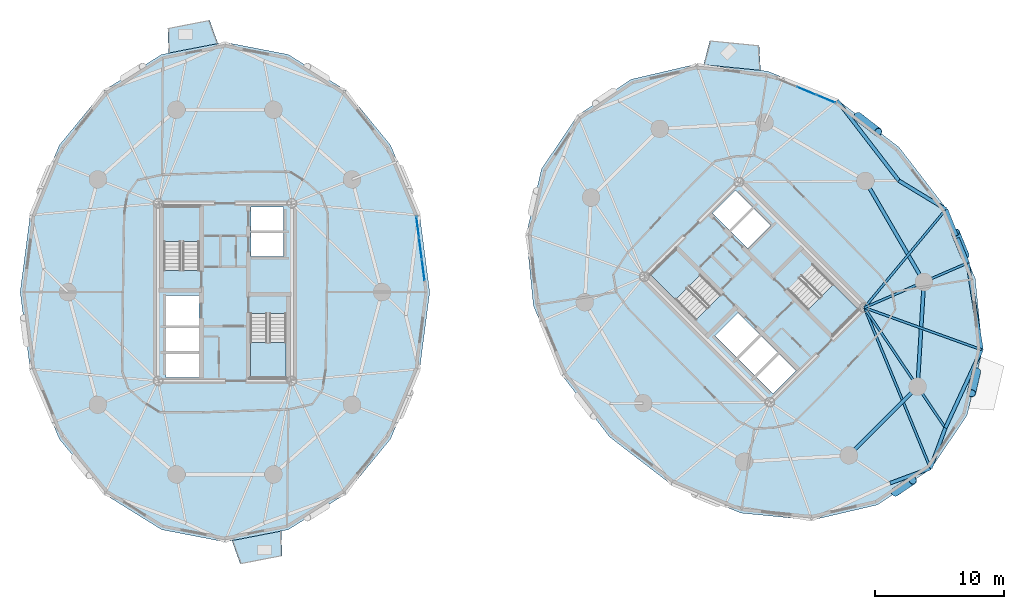
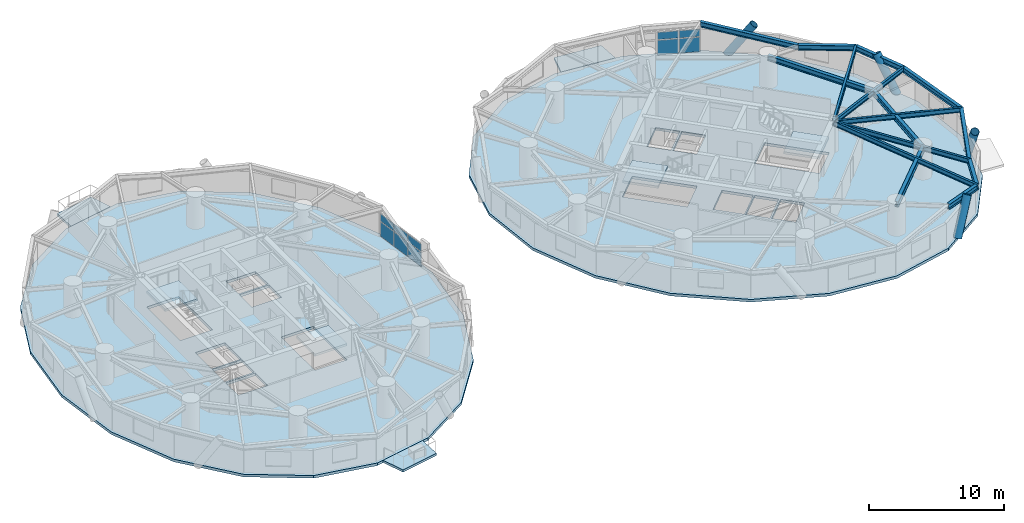
# One storey, part 7 of 17: 15 beams, 10 plates, 9 slabs, 4 members, 6 elements without a shape of their own.
"""IFC4 building model written with IfcOpenShell, lengths in metres."""

import ifcopenshell
import ifcopenshell.guid

model = None  # the IFC model being written
_history = None  # IfcOwnerHistory: only IFC2X3 demands one
_inside = {}  # id of a spatial element -> (the spatial element, [elements in it])
_under = {}  # id of a project, library or spatial element -> (it, [spatial elements below it])
_declared = {}  # id of a project -> (the project, [libraries it declares])
_typed = {}  # id of a type object -> (the type object, [elements of that type])
_made_of = {}  # id of a material, layer set ... -> (it, [elements and type objects made of it])


def new_model(schema):
    """Start an empty IFC model of exactly this schema.

    Asked for "IFC4X3", IfcOpenShell would pick the latest addendum, in which some entities
    have other attributes; the version numbers below select the first issue.
    IFC2X3 requires an IfcOwnerHistory on every rooted entity: one is made here for all.
    """
    global model, _history
    if schema == "IFC4X3":
        model = ifcopenshell.file(schema_version=(4, 3, 0, 0))
    else:
        model = ifcopenshell.file(schema=schema)
    _inside.clear()
    _under.clear()
    _declared.clear()
    _typed.clear()
    _made_of.clear()
    _history = None
    if model.schema == "IFC2X3":
        org = make("IfcOrganization", Name="unknown")
        user = make(
            "IfcPersonAndOrganization",
            ThePerson=make("IfcPerson", FamilyName="unknown"),
            TheOrganization=org,
        )
        app = make(
            "IfcApplication",
            ApplicationDeveloper=org,
            Version="unknown",
            ApplicationFullName="unknown",
            ApplicationIdentifier="unknown",
        )
        _history = make(
            "IfcOwnerHistory",
            OwningUser=user,
            OwningApplication=app,
            ChangeAction="ADDED",
            CreationDate=0,
        )
    return model


def make(cls, **values):
    """One entity of the class cls with the attributes given. An attribute that is None is left unset."""
    return model.create_entity(
        cls, **{name: value for name, value in values.items() if value is not None}
    )


def rooted(cls, **values):
    """An entity with a GlobalId (a new one), such as an element, a storey or a relation."""
    return make(cls, GlobalId=ifcopenshell.guid.new(), OwnerHistory=_history, **values)


def si_unit(unit_type, name, prefix=None):
    """IfcSIUnit, for example si_unit("LENGTHUNIT", "METRE", prefix="MILLI")."""
    return make("IfcSIUnit", UnitType=unit_type, Prefix=prefix, Name=name)


def assignment(units):
    """IfcUnitAssignment: the units of a project."""
    return None if units is None else make("IfcUnitAssignment", Units=units)


def point(xyz):
    """IfcCartesianPoint."""
    return None if xyz is None else make("IfcCartesianPoint", Coordinates=xyz)


def direction(xyz):
    """IfcDirection."""
    return None if xyz is None else make("IfcDirection", DirectionRatios=xyz)


def frame(location, z_axis=None, x_axis=None):
    """IfcAxis2Placement3D, a coordinate frame: its origin and axes. An axis left out is left unset."""
    return make(
        "IfcAxis2Placement3D",
        Location=point(location),
        Axis=direction(z_axis),
        RefDirection=direction(x_axis),
    )


def frame_2d(location, x_axis=None):
    """IfcAxis2Placement2D, a coordinate frame in the plane: its origin and x axis."""
    return make(
        "IfcAxis2Placement2D", Location=point(location), RefDirection=direction(x_axis)
    )


def origin():
    """The frame at (0, 0, 0) with its axes left unset."""
    return frame((0.0, 0.0, 0.0))


def origin_2d():
    """The frame at (0, 0) in the plane with its x axis left unset."""
    return frame_2d((0.0, 0.0))


def place(relative_to, where):
    """IfcLocalPlacement: puts the frame where relative to a parent placement (None: the world)."""
    return make(
        "IfcLocalPlacement", PlacementRelTo=relative_to, RelativePlacement=where
    )


def context(
    kind, dimensions, precision=None, world=None, true_north=None, identifier=None
):
    """IfcGeometricRepresentationContext, for example the 3D "Model" context."""
    return make(
        "IfcGeometricRepresentationContext",
        ContextIdentifier=identifier,
        ContextType=kind,
        CoordinateSpaceDimension=dimensions,
        Precision=precision,
        WorldCoordinateSystem=world,
        TrueNorth=true_north,
    )


def subcontext(parent, identifier, kind, view, scale=None):
    """IfcGeometricRepresentationSubContext, for example "Body" below "Model"."""
    return make(
        "IfcGeometricRepresentationSubContext",
        ContextIdentifier=identifier,
        ContextType=kind,
        ParentContext=parent,
        TargetScale=scale,
        TargetView=view,
    )


def project(units=None, contexts=None):
    """IfcProject with its units and contexts."""
    return rooted(
        "IfcProject",
        Name="project",
        RepresentationContexts=contexts,
        UnitsInContext=assignment(units),
    )


def spatial(cls, under=None, at=None, **own):
    """A site, building, storey or space (cls), placed at a placement, below another one or the project."""
    s = rooted(cls, ObjectPlacement=at, **own)
    if under is not None:
        _under.setdefault(under.id(), (under, []))[1].append(s)
    return s


def polyline(points):
    """IfcPolyline through the points."""
    return make("IfcPolyline", Points=[point(p) for p in points])


def profile(cls, at=None, kind="AREA", **sizes):
    """A parametric profile (cls). Its sizes go by their IFC names, for example OverallWidth=200.0."""
    return make(cls, ProfileType=kind, Position=at, **sizes)


def rectangle(**sizes):
    """IfcRectangleProfileDef."""
    return profile("IfcRectangleProfileDef", **sizes)


def hollow_circle(**sizes):
    """IfcCircleHollowProfileDef."""
    return profile("IfcCircleHollowProfileDef", **sizes)


def i_section(**sizes):
    """IfcIShapeProfileDef."""
    return profile("IfcIShapeProfileDef", **sizes)


def outline(outer, holes=None, kind="AREA"):
    """IfcArbitraryClosedProfileDef: a profile drawn as a closed curve; with holes, ...WithVoids."""
    if holes is None:
        return make("IfcArbitraryClosedProfileDef", ProfileType=kind, OuterCurve=outer)
    return make(
        "IfcArbitraryProfileDefWithVoids",
        ProfileType=kind,
        OuterCurve=outer,
        InnerCurves=holes,
    )


def extrude(swept, where, along, depth):
    """IfcExtrudedAreaSolid: the profile swept, set in the frame where, extruded along a direction by depth."""
    return make(
        "IfcExtrudedAreaSolid",
        SweptArea=swept,
        Position=where,
        ExtrudedDirection=direction(along),
        Depth=depth,
    )


def shape(context_of_items, identifier, shape_type, items):
    """IfcShapeRepresentation: the items that make up one representation, for example the "Body"."""
    return make(
        "IfcShapeRepresentation",
        ContextOfItems=context_of_items,
        RepresentationIdentifier=identifier,
        RepresentationType=shape_type,
        Items=items,
    )


def source(mapping_origin, context_of_items, identifier, shape_type, items):
    """IfcRepresentationMap: a shape defined once, which mapped items show again and again."""
    return make(
        "IfcRepresentationMap",
        MappingOrigin=mapping_origin,
        MappedRepresentation=shape(context_of_items, identifier, shape_type, items),
    )


def transform(
    local_origin,
    x_axis=None,
    y_axis=None,
    z_axis=None,
    scale=None,
    scale2=None,
    scale3=None,
    uniform=True,
):
    """IfcCartesianTransformationOperator3D, or its non-uniform kind. x_axis, y_axis, z_axis: its Axis1, 2, 3."""
    if uniform:
        return make(
            "IfcCartesianTransformationOperator3D",
            Axis1=direction(x_axis),
            Axis2=direction(y_axis),
            LocalOrigin=point(local_origin),
            Scale=scale,
            Axis3=direction(z_axis),
        )
    return make(
        "IfcCartesianTransformationOperator3DnonUniform",
        Axis1=direction(x_axis),
        Axis2=direction(y_axis),
        LocalOrigin=point(local_origin),
        Scale=scale,
        Axis3=direction(z_axis),
        Scale2=scale2,
        Scale3=scale3,
    )


def mapped(mapping_source, mapping_target):
    """IfcMappedItem: shows the shape of a source again, moved by a transform."""
    return make(
        "IfcMappedItem", MappingSource=mapping_source, MappingTarget=mapping_target
    )


def material(Name=None, Category=None):
    """IfcMaterial."""
    return make("IfcMaterial", Name=Name, Category=Category)


def layer(
    of_material, thickness, ventilated=None, Name=None, Category=None, Priority=None
):
    """IfcMaterialLayer: one layer of a wall or slab, of a material (None: an air gap)."""
    return make(
        "IfcMaterialLayer",
        Material=of_material,
        LayerThickness=thickness,
        IsVentilated=ventilated,
        Name=Name,
        Category=Category,
        Priority=Priority,
    )


def layer_set(layers, Name=None):
    """IfcMaterialLayerSet."""
    return make("IfcMaterialLayerSet", MaterialLayers=layers, LayerSetName=Name)


def material_profile(
    of_material, cross_section, Name=None, Category=None, Priority=None
):
    """IfcMaterialProfile: a cross section and its material."""
    return make(
        "IfcMaterialProfile",
        Name=Name,
        Material=of_material,
        Profile=cross_section,
        Priority=Priority,
        Category=Category,
    )


def profile_set(profiles, Name=None, composite=None):
    """IfcMaterialProfileSet."""
    return make(
        "IfcMaterialProfileSet",
        Name=Name,
        MaterialProfiles=profiles,
        CompositeProfile=composite,
    )


def made_of(thing, what):
    """Note that an element or type object is made of a material, layer set ...; save() writes the relation."""
    if what is not None:
        _made_of.setdefault(what.id(), (what, []))[1].append(thing)
    return thing


def type_object(cls, material=None, **own):
    """A type object (cls), such as IfcWallType, which elements share."""
    return made_of(rooted(cls, **own), material)


def element(
    cls,
    number,
    at=None,
    inside=None,
    cuts=None,
    type_object=None,
    material=None,
    context=None,
    identifier="Body",
    shape_type=None,
    held_by="IfcProductDefinitionShape",
    body=None,
    shapes=None,
    **own,
):
    """One element of the class cls, such as IfcWall. Its Tag is "e" and its number.

    at: its placement. inside: the storey or other place that contains it. cuts: it is an
    opening in that element (IfcRelVoidsElement). A single representation is given by context,
    identifier, shape_type and body (its items); several are given by shapes. held_by: the class
    of the entity that holds the representations. save() writes the other relations.
    """
    e = rooted(cls, Tag="e%d" % number, ObjectPlacement=at, **own)
    if body is not None:
        shapes = [shape(context, identifier, shape_type, body)]
    if shapes is not None:
        e.Representation = make(held_by, Representations=shapes)
    if inside is not None:
        _inside.setdefault(inside.id(), (inside, []))[1].append(e)
    if cuts is not None:
        rooted(
            "IfcRelVoidsElement", RelatingBuildingElement=cuts, RelatedOpeningElement=e
        )
    if type_object is not None:
        _typed.setdefault(type_object.id(), (type_object, []))[1].append(e)
    return made_of(e, material)


def aggregate(whole, parts):
    """IfcRelAggregates: a whole, such as a stair, and the parts it consists of."""
    return rooted("IfcRelAggregates", RelatingObject=whole, RelatedObjects=parts)


def save(model, path):
    """Write the relations noted so far, then the file.

    IfcRelAggregates (storeys below a building ...), IfcRelContainedInSpatialStructure (elements
    in a storey), IfcRelDefinesByType, IfcRelAssociatesMaterial and IfcRelDeclares: one each for
    every whole, place, type object, material and project.
    """
    for whole, parts in _under.values():
        aggregate(whole, parts)
    for where, things in _inside.values():
        rooted(
            "IfcRelContainedInSpatialStructure",
            RelatedElements=things,
            RelatingStructure=where,
        )
    for kind, things in _typed.values():
        rooted("IfcRelDefinesByType", RelatedObjects=things, RelatingType=kind)
    for what, things in _made_of.values():
        rooted("IfcRelAssociatesMaterial", RelatedObjects=things, RelatingMaterial=what)
    for by, libraries in _declared.values():
        rooted("IfcRelDeclares", RelatingContext=by, RelatedDefinitions=libraries)
    model.write(path)


model = new_model("IFC4")

# Units and contexts
model_context = context("Model", 3, precision=1e-05, world=origin(), true_north=direction((0.0, 1.0)))
body_context = subcontext(model_context, "Body", "Model", "MODEL_VIEW")
ifc_project = project(units=[si_unit("LENGTHUNIT", "METRE"), si_unit("AREAUNIT", "SQUARE_METRE"), si_unit("VOLUMEUNIT", "CUBIC_METRE"), si_unit("PLANEANGLEUNIT", "RADIAN"), si_unit("MASSUNIT", "GRAM", prefix="KILO")], contexts=[model_context])

# Site, building, storey
site_placement = place(None, origin())
site = spatial("IfcSite", under=ifc_project, at=site_placement, CompositionType="ELEMENT")
building_placement = place(site_placement, origin())
building = spatial("IfcBuilding", under=site, at=building_placement, Name="Cununo Teusaquillo Station Towers", CompositionType="ELEMENT")
storey_placement = place(building_placement, frame((0.0, 0.0, 70.14990234375)))
storey = spatial("IfcBuildingStorey", under=building, at=storey_placement, Name="L21", CompositionType="ELEMENT", Elevation=70.14990234375)

# Beams
ifc_material_1 = material(Name="Steel ASTM A572 Grade 50", Category="steel")
ifc_material_profile_1 = material_profile(ifc_material_1, i_section(OverallWidth=0.180908203125, OverallDepth=0.4169921875, WebThickness=0.010986328125, FlangeThickness=0.018310546875, FilletRadius=0.012939453125, at=origin_2d()), Name="W16X57")
ifc_profile_set_1 = profile_set([ifc_material_profile_1], Name="Steel ASTM A572 Grade 50")
beam_type_1 = type_object("IfcBeamType", Name="BM-JOIST-1", PredefinedType="JOIST", material=ifc_profile_set_1)
beam_1_placement = place(storey_placement, frame((66.024169921875, 23.29443359375, 2.461669921875), z_axis=(0.380485864505, -0.924786735908, 0.0), x_axis=(0.924786735908, 0.380485864505, 0.0)))
element("IfcBeam", 1, at=beam_1_placement, inside=storey, type_object=beam_type_1, Name="L21 Tower B Radial Spandrel Joist V15", PredefinedType="JOIST", context=body_context, shape_type="SweptSolid", body=[
    extrude(i_section(OverallWidth=0.180908203125, OverallDepth=0.4169921875, WebThickness=0.010986328125, FlangeThickness=0.018310546875, FilletRadius=0.012939453125, at=origin_2d()), origin(), (0.0, 0.0, 1.0), 13.44580078125),
])
beam_2_placement = place(storey_placement, frame((66.024169921875, 23.29443359375, 2.461669921875), z_axis=(0.941082771055, -0.338176312038, 0.0), x_axis=(0.338176312038, 0.941082771055, 0.0)))
element("IfcBeam", 2, at=beam_2_placement, inside=storey, type_object=beam_type_1, Name="L21 Tower B Radial Spandrel Joist V17", PredefinedType="JOIST", context=body_context, shape_type="SweptSolid", body=[
    extrude(i_section(OverallWidth=0.180908203125, OverallDepth=0.4169921875, WebThickness=0.010986328125, FlangeThickness=0.018310546875, FilletRadius=0.012939453125, at=origin_2d()), origin(), (0.0, 0.0, 1.0), 9.646484375),
])
beam_3_placement = place(storey_placement, frame((66.024169921875, 23.29443359375, 2.461669921875), z_axis=(0.638372238196, 0.769727799615, 0.0), x_axis=(-0.769727799615, 0.638372238196, 0.0)))
element("IfcBeam", 3, at=beam_3_placement, inside=storey, type_object=beam_type_1, Name="L21 Tower B Radial Spandrel Joist V19", PredefinedType="JOIST", context=body_context, shape_type="SweptSolid", body=[
    extrude(i_section(OverallWidth=0.180908203125, OverallDepth=0.4169921875, WebThickness=0.010986328125, FlangeThickness=0.018310546875, FilletRadius=0.012939453125, at=origin_2d()), origin(), (0.0, 0.0, 1.0), 9.895263671875),
])
ifc_material_2 = material(Name="Steel ASTM A572 Grade 50", Category="steel")
ifc_material_profile_2 = material_profile(ifc_material_2, i_section(OverallWidth=0.180908203125, OverallDepth=0.4169921875, WebThickness=0.010986328125, FlangeThickness=0.018310546875, FilletRadius=0.012939453125, at=origin_2d()), Name="W16X57")
ifc_profile_set_2 = profile_set([ifc_material_profile_2], Name="Steel ASTM A572 Grade 50")
beam_type_2 = type_object("IfcBeamType", Name="BM-RAD-G2", PredefinedType="BEAM", material=ifc_profile_set_2)
beam_4_placement = place(storey_placement, frame((66.024169921875, 23.29443359375, 2.461669921875), z_axis=(0.558572297481, -0.82945583878, 0.0), x_axis=(0.82945583878, 0.558572297481, 0.0)))
element("IfcBeam", 4, at=beam_4_placement, inside=storey, type_object=beam_type_2, Name="L21 Tower B Continuous Overhanging Radial Girder 09", PredefinedType="BEAM", context=body_context, shape_type="SweptSolid", body=[
    extrude(i_section(OverallWidth=0.180908203125, OverallDepth=0.4169921875, WebThickness=0.010986328125, FlangeThickness=0.018310546875, FilletRadius=0.012939453125, at=origin_2d()), origin(), (0.0, 0.0, 1.0), 11.22998046875),
])
beam_5_placement = place(storey_placement, frame((66.024169921875, 23.29443359375, 2.461669921875), z_axis=(0.917654733344, 0.397378648609, 0.0), x_axis=(-0.397378648609, 0.917654733344, 0.0)))
element("IfcBeam", 5, at=beam_5_placement, inside=storey, type_object=beam_type_2, Name="L21 Tower B Continuous Overhanging Radial Girder 10", PredefinedType="BEAM", context=body_context, shape_type="SweptSolid", body=[
    extrude(i_section(OverallWidth=0.180908203125, OverallDepth=0.4169921875, WebThickness=0.010986328125, FlangeThickness=0.018310546875, FilletRadius=0.012939453125, at=origin_2d()), origin(), (0.0, 0.0, 1.0), 8.71484375),
])
ifc_material_3 = material(Name="Steel ASTM A572 Grade 50", Category="steel")
ifc_material_profile_3 = material_profile(ifc_material_3, i_section(OverallWidth=0.280029296875, OverallDepth=0.462890625, WebThickness=0.0107421875, FlangeThickness=0.017333984375, FilletRadius=0.013916015625, at=origin_2d()), Name="W18X76")
ifc_profile_set_3 = profile_set([ifc_material_profile_3], Name="Steel ASTM A572 Grade 50")
beam_type_3 = type_object("IfcBeamType", Name="BM-RING-Z2", PredefinedType="SPANDREL", material=ifc_profile_set_3)
beam_6_placement = place(storey_placement, frame((64.826904296875, 11.853759765625, 2.4384765625), z_axis=(0.707106781187, 0.707106781187, 0.0), x_axis=(-0.707106781187, 0.707106781187, 0.0)))
element("IfcBeam", 6, at=beam_6_placement, inside=storey, type_object=beam_type_3, Name="L21 Tower B Structural Column Ring Girder 08", PredefinedType="SPANDREL", context=body_context, shape_type="SweptSolid", body=[
    extrude(i_section(OverallWidth=0.280029296875, OverallDepth=0.462890625, WebThickness=0.0107421875, FlangeThickness=0.017333984375, FilletRadius=0.013916015625, at=origin_2d()), origin(), (0.0, 0.0, 1.0), 7.522705078125),
])
beam_7_placement = place(storey_placement, frame((70.146240234375, 17.173095703125, 2.4384765625), z_axis=(0.06012979176, 0.998190567048, 0.0), x_axis=(-0.998190567048, 0.06012979176, 0.0)))
element("IfcBeam", 7, at=beam_7_placement, inside=storey, type_object=beam_type_3, Name="L21 Tower B Structural Column Ring Girder 09", PredefinedType="SPANDREL", context=body_context, shape_type="SweptSolid", body=[
    extrude(i_section(OverallWidth=0.280029296875, OverallDepth=0.462890625, WebThickness=0.0107421875, FlangeThickness=0.017333984375, FilletRadius=0.013916015625, at=origin_2d()), origin(), (0.0, 0.0, 1.0), 8.132568359375),
])
beam_8_placement = place(storey_placement, frame((70.63525390625, 25.291015625, 2.4384765625), z_axis=(-0.501311121078, 0.865267103202, 0.0), x_axis=(-0.865267103202, -0.501311121078, 0.0)))
element("IfcBeam", 8, at=beam_8_placement, inside=storey, type_object=beam_type_3, Name="L21 Tower B Structural Column Ring Girder 10", PredefinedType="SPANDREL", context=body_context, shape_type="SweptSolid", body=[
    extrude(i_section(OverallWidth=0.280029296875, OverallDepth=0.462890625, WebThickness=0.0107421875, FlangeThickness=0.017333984375, FilletRadius=0.013916015625, at=origin_2d()), origin(), (0.0, 0.0, 1.0), 9.032958984375),
])
beam_9_placement = place(storey_placement, frame((68.694580078125, 33.12890625, 2.4384765625), z_axis=(-0.610100441726, 0.792324082056, 0.0), x_axis=(-0.792324082056, -0.610100441726, 0.0)))
element("IfcBeam", 9, at=beam_9_placement, inside=storey, type_object=beam_type_3, Name="L21 Tower B Spandrel Ring Beam 01", PredefinedType="SPANDREL", context=body_context, shape_type="SweptSolid", body=[
    extrude(i_section(OverallWidth=0.280029296875, OverallDepth=0.462890625, WebThickness=0.0107421875, FlangeThickness=0.017333984375, FilletRadius=0.013916015625, at=origin_2d()), origin(), (0.0, 0.0, 1.0), 7.84033203125),
])
for number, where, z_axis, x_axis, name in (
    (10, (68.020263671875, 9.703125, 2.4384765625), (0.937628334414, 0.347639333943, 0.0), (-0.347639333943, 0.937628334414, 0.0), "L21 Tower B Spandrel Ring Beam 15"),
    (11, (71.14013671875, 10.85986328125, 2.4384765625), (0.347639333943, 0.937628334414, 0.0), (-0.937628334414, 0.347639333943, 0.0), "L21 Tower B Spandrel Ring Beam 16"),
):
    element("IfcBeam", number, at=place(storey_placement, frame(where, z_axis=z_axis, x_axis=x_axis)), inside=storey, type_object=beam_type_3, Name=name, PredefinedType="SPANDREL", context=body_context, shape_type="SweptSolid", body=[
        extrude(i_section(OverallWidth=0.280029296875, OverallDepth=0.462890625, WebThickness=0.0107421875, FlangeThickness=0.017333984375, FilletRadius=0.013916015625, at=origin_2d()), origin(), (0.0, 0.0, 1.0), 3.327392578125),
    ])
beam_10_placement = place(storey_placement, frame((72.296875, 13.979736328125, 2.4384765625), z_axis=(0.420535961689, 0.907275870354, 0.0), x_axis=(-0.907275870354, 0.420535961689, 0.0)))
element("IfcBeam", 12, at=beam_10_placement, inside=storey, type_object=beam_type_3, Name="L21 Tower B Spandrel Ring Beam 17", PredefinedType="SPANDREL", context=body_context, shape_type="SweptSolid", body=[
    extrude(i_section(OverallWidth=0.280029296875, OverallDepth=0.462890625, WebThickness=0.0107421875, FlangeThickness=0.017333984375, FilletRadius=0.013916015625, at=origin_2d()), origin(), (0.0, 0.0, 1.0), 6.671142578125),
])
beam_11_placement = place(storey_placement, frame((75.102294921875, 20.0322265625, 2.4384765625), z_axis=(-0.158671232312, 0.987331474246, 0.0), x_axis=(-0.987331474246, -0.158671232312, 0.0)))
element("IfcBeam", 13, at=beam_11_placement, inside=storey, type_object=beam_type_3, Name="L21 Tower B Spandrel Ring Beam 18", PredefinedType="SPANDREL", context=body_context, shape_type="SweptSolid", body=[
    extrude(i_section(OverallWidth=0.280029296875, OverallDepth=0.462890625, WebThickness=0.0107421875, FlangeThickness=0.017333984375, FilletRadius=0.013916015625, at=origin_2d()), origin(), (0.0, 0.0, 1.0), 6.8115234375),
])
beam_12_placement = place(storey_placement, frame((74.021484375, 26.757568359375, 2.4384765625), z_axis=(-0.375042266631, 0.927007712072, 0.0), x_axis=(-0.927007712072, -0.375042266631, 0.0)))
element("IfcBeam", 14, at=beam_12_placement, inside=storey, type_object=beam_type_3, Name="L21 Tower B Spandrel Ring Beam 19", PredefinedType="SPANDREL", context=body_context, shape_type="SweptSolid", body=[
    extrude(i_section(OverallWidth=0.280029296875, OverallDepth=0.462890625, WebThickness=0.0107421875, FlangeThickness=0.017333984375, FilletRadius=0.013916015625, at=origin_2d()), origin(), (0.0, 0.0, 1.0), 4.480712890625),
])
beam_13_placement = place(storey_placement, frame((72.341064453125, 30.9111328125, 2.4384765625), z_axis=(-0.854388492444, 0.519634779416, 0.0), x_axis=(-0.519634779416, -0.854388492444, 0.0)))
element("IfcBeam", 15, at=beam_13_placement, inside=storey, type_object=beam_type_3, Name="L21 Tower B Spandrel Ring Beam 20", PredefinedType="SPANDREL", context=body_context, shape_type="SweptSolid", body=[
    extrude(i_section(OverallWidth=0.280029296875, OverallDepth=0.462890625, WebThickness=0.0107421875, FlangeThickness=0.017333984375, FilletRadius=0.013916015625, at=origin_2d()), origin(), (0.0, 0.0, 1.0), 4.26806640625),
])

# Members
ifc_material_4 = material(Name="Steel EN 10025-2 S355J2", Category="steel")
ifc_material_profile_4 = material_profile(ifc_material_4, hollow_circle(Radius=0.330078125, WallThickness=0.02490234375, at=origin_2d()), Name="CHS 660x25")
ifc_profile_set_4 = profile_set([ifc_material_profile_4], Name="Steel EN 10025-2 S355J2")
member_type = type_object("IfcMemberType", Name="MBR-DIAG-Z2", PredefinedType="BRACE", material=ifc_profile_set_4)
member_1_placement = place(storey_placement, frame((65.498291015625, 38.118408203125, -0.139892578125), z_axis=(0.449302990414, -0.34606419194, 0.823630012726), x_axis=(0.610205273886, 0.792243348803, 0.0)))
element("IfcMember", 16, at=member_1_placement, inside=storey, type_object=member_type, Name="L21 Tower B Folded-Zigzag Diagrid Tube C00", PredefinedType="BRACE", context=body_context, shape_type="SweptSolid", body=[
    extrude(hollow_circle(Radius=0.330078125, WallThickness=0.02490234375, at=origin_2d()), origin(), (0.0, 0.0, 1.0), 3.532958984375),
])
member_2_placement = place(storey_placement, frame((68.393310546875, 9.003173828125, -0.139892578125), z_axis=(0.410072581881, 0.277172614456, 0.868916462835), x_axis=(-0.559991322854, 0.828498472134, 0.0)))
element("IfcMember", 17, at=member_2_placement, inside=storey, type_object=member_type, Name="L21 Tower B Folded-Zigzag Diagrid Tube C14", PredefinedType="BRACE", context=body_context, shape_type="SweptSolid", body=[
    extrude(hollow_circle(Radius=0.330078125, WallThickness=0.02490234375, at=origin_2d()), origin(), (0.0, 0.0, 1.0), 3.348876953125),
])
member_3_placement = place(storey_placement, frame((74.7099609375, 18.348388671875, -0.139892578125), z_axis=(-0.115906612964, -0.49752571016, 0.859670765352), x_axis=(0.973920299704, -0.226890391653, 0.0)))
element("IfcMember", 18, at=member_3_placement, inside=storey, type_object=member_type, Name="L21 Tower B Folded-Zigzag Diagrid Tube C16", PredefinedType="BRACE", context=body_context, shape_type="SweptSolid", body=[
    extrude(hollow_circle(Radius=0.330078125, WallThickness=0.02490234375, at=origin_2d()), origin(), (0.0, 0.0, 1.0), 3.385009765625),
])
member_4_placement = place(storey_placement, frame((73.818115234375, 27.318115234375, -0.139892578125), z_axis=(-0.211093316399, 0.51346268498, 0.83174255807), x_axis=(-0.924888817599, -0.380237656053, 0.0)))
element("IfcMember", 19, at=member_4_placement, inside=storey, type_object=member_type, Name="L21 Tower B Folded-Zigzag Diagrid Tube C18", PredefinedType="BRACE", context=body_context, shape_type="SweptSolid", body=[
    extrude(hollow_circle(Radius=0.330078125, WallThickness=0.02490234375, at=origin_2d()), origin(), (0.0, 0.0, 1.0), 3.49853515625),
])

# Slabs
ifc_material_5 = material(Name="Concrete C50/60", Category="concrete")
ifc_layer_1 = layer(ifc_material_5, 0.2099609375)
ifc_layer_set_1 = layer_set([ifc_layer_1], Name="Concrete C50/60")
slab_type_1 = type_object("IfcSlabType", Name="SLB-BAL-210", PredefinedType="FLOOR", material=ifc_layer_set_1)
slab_1_placement = place(storey_placement, frame((0.0, 0.0, -0.2099609375)))
element("IfcSlab", 20, at=slab_1_placement, inside=storey, type_object=slab_type_1, Name="L21 Tower A Tree Balcony Slab 1", PredefinedType="FLOOR", context=body_context, shape_type="SweptSolid", body=[
    extrude(outline(polyline([(15.958984375, 43.75048828125), (12.1376953125, 43.01220703125), (12.069091796875, 44.94921875), (15.30126953125, 45.573974609375), (15.958984375, 43.75048828125)])), origin(), (0.0, 0.0, 1.0), 0.2099609375),
])
slab_2_placement = place(storey_placement, frame((0.0, 0.0, -0.2099609375)))
element("IfcSlab", 21, at=slab_2_placement, inside=storey, type_object=slab_type_1, Name="L21 Tower A Tree Balcony Slab 2", PredefinedType="FLOOR", context=body_context, shape_type="SweptSolid", body=[
    extrude(outline(polyline([(17.041015625, 5.24951171875), (20.8623046875, 5.98779296875), (20.930908203125, 4.05078125), (17.69873046875, 3.426025390625), (17.041015625, 5.24951171875)])), origin(), (0.0, 0.0, 1.0), 0.2099609375),
])
slab_3_placement = place(storey_placement, frame((0.0, 0.0, -0.2099609375)))
element("IfcSlab", 22, at=slab_3_placement, inside=storey, type_object=slab_type_1, Name="L21 Tower B Tree Balcony Slab 1", PredefinedType="FLOOR", context=body_context, shape_type="SweptSolid", body=[
    extrude(outline(polyline([(57.984375, 41.675048828125), (53.57080078125, 42.1123046875), (54.05810546875, 43.988525390625), (57.87451171875, 43.6103515625), (57.984375, 41.675048828125)])), origin(), (0.0, 0.0, 1.0), 0.2099609375),
])

# Stair, slab
ifc_material_6 = material(Name="Concrete C50/60", Category="concrete")
stair_type = type_object("IfcStairType", Name="ST-TWR-1300", PredefinedType="HALF_TURN_STAIR", material=ifc_material_6)
stair_1_placement = place(storey_placement, origin())
stair_1 = element("IfcStair", 23, at=stair_1_placement, inside=storey, type_object=stair_type, Name="L21 Tower A Protected Core Exit Stair 1", PredefinedType="HALF_TURN_STAIR")
ifc_material_7 = material(Name="Concrete C50/60", Category="concrete")
ifc_layer_2 = layer(ifc_material_7, 0.199951171875)
ifc_layer_set_2 = layer_set([ifc_layer_2], Name="Concrete C50/60")
slab_type_2 = type_object("IfcSlabType", Name="SLB-STAIR-LND", PredefinedType="LANDING", material=ifc_layer_set_2)
slab_4_placement = place(storey_placement, frame((0.0, 0.0, 1.255126953125)))
slab_4 = element("IfcSlab", 24, at=slab_4_placement, type_object=slab_type_2, Name="ST-T1-1 landing 1", PredefinedType="LANDING", context=body_context, shape_type="SweptSolid", body=[
    extrude(outline(polyline([(14.52001953125, 28.409912109375), (14.52001953125, 31.159912109375), (11.760009765625, 31.159912109375), (11.760009765625, 28.409912109375), (14.52001953125, 28.409912109375)])), origin(), (0.0, 0.0, 1.0), 0.199951171875),
])
aggregate(stair_1, [slab_4])

stair_2_placement = place(storey_placement, origin())
stair_2 = element("IfcStair", 25, at=stair_2_placement, inside=storey, type_object=stair_type, Name="L21 Tower A Protected Core Exit Stair 2", PredefinedType="HALF_TURN_STAIR")
slab_5_placement = place(storey_placement, frame((0.0, 0.0, 1.255126953125)))
slab_5 = element("IfcSlab", 26, at=slab_5_placement, type_object=slab_type_2, Name="ST-T1-2 landing 1", PredefinedType="LANDING", context=body_context, shape_type="SweptSolid", body=[
    extrude(outline(polyline([(18.47998046875, 20.590087890625), (18.47998046875, 17.840087890625), (21.239990234375, 17.840087890625), (21.239990234375, 20.590087890625), (18.47998046875, 20.590087890625)])), origin(), (0.0, 0.0, 1.0), 0.199951171875),
])
aggregate(stair_2, [slab_5])

stair_3_placement = place(storey_placement, origin())
stair_3 = element("IfcStair", 27, at=stair_3_placement, inside=storey, type_object=stair_type, Name="L21 Tower B Protected Core Exit Stair 1", PredefinedType="HALF_TURN_STAIR")
slab_6_placement = place(storey_placement, frame((0.0, 0.0, 1.255126953125)))
slab_6 = element("IfcSlab", 28, at=slab_6_placement, type_object=slab_type_2, Name="ST-T2-1 landing 1", PredefinedType="LANDING", context=body_context, shape_type="SweptSolid", body=[
    extrude(outline(polyline([(53.335205078125, 25.86474609375), (51.390625, 27.809326171875), (49.43896484375, 25.857666015625), (51.383544921875, 23.9130859375), (53.335205078125, 25.86474609375)])), origin(), (0.0, 0.0, 1.0), 0.199951171875),
])
aggregate(stair_3, [slab_6])

stair_4_placement = place(storey_placement, origin())
stair_4 = element("IfcStair", 29, at=stair_4_placement, inside=storey, type_object=stair_type, Name="L21 Tower B Protected Core Exit Stair 2", PredefinedType="HALF_TURN_STAIR")
slab_7_placement = place(storey_placement, frame((0.0, 0.0, 1.255126953125)))
slab_7 = element("IfcSlab", 30, at=slab_7_placement, type_object=slab_type_2, Name="ST-T2-2 landing 1", PredefinedType="LANDING", context=body_context, shape_type="SweptSolid", body=[
    extrude(outline(polyline([(61.664794921875, 23.13525390625), (63.609375, 21.190673828125), (65.56103515625, 23.142333984375), (63.616455078125, 25.0869140625), (61.664794921875, 23.13525390625)])), origin(), (0.0, 0.0, 1.0), 0.199951171875),
])
aggregate(stair_4, [slab_7])

# Slabs
ifc_material_8 = material(Name="Concrete C40/50", Category="concrete")
ifc_layer_3 = layer(ifc_material_8, 0.239990234375)
ifc_layer_set_3 = layer_set([ifc_layer_3], Name="Concrete C40/50")
slab_type_3 = type_object("IfcSlabType", Name="SLB-Z2-240", PredefinedType="FLOOR", material=ifc_layer_set_3)
slab_8_placement = place(storey_placement, frame((0.0, 0.0, -0.239990234375)))
element("IfcSlab", 31, at=slab_8_placement, inside=storey, type_object=slab_type_3, Name="L21 Tower A Floor Slab", PredefinedType="FLOOR", context=body_context, shape_type="SweptSolid", body=[
    extrude(outline(polyline([(32.361083984375, 24.5), (31.584716796875, 30.4794921875), (29.331787109375, 35.87353515625), (25.822998046875, 40.154541015625), (21.4013671875, 42.90283203125), (16.5, 43.85009765625), (11.5986328125, 42.90283203125), (7.177001953125, 40.154541015625), (3.668212890625, 35.87353515625), (1.415283203125, 30.4794921875), (0.638916015625, 24.5), (1.415283203125, 18.5205078125), (3.668212890625, 13.12646484375), (7.177001953125, 8.845458984375), (11.5986328125, 6.09716796875), (16.5, 5.14990234375), (21.4013671875, 6.09716796875), (25.822998046875, 8.845458984375), (29.331787109375, 13.12646484375), (31.584716796875, 18.5205078125), (32.361083984375, 24.5)]), holes=[polyline([(14.52001953125, 26.176025390625), (14.52001953125, 31.159912109375), (11.760009765625, 31.159912109375), (11.760009765625, 26.176025390625), (14.52001953125, 26.176025390625)]), polyline([(18.47998046875, 22.823974609375), (18.47998046875, 17.840087890625), (21.239990234375, 17.840087890625), (21.239990234375, 22.823974609375), (18.47998046875, 22.823974609375)]), polyline([(11.949951171875, 21.85009765625), (14.47998046875, 21.85009765625), (14.47998046875, 24.25), (11.949951171875, 24.25), (11.949951171875, 21.85009765625)]), polyline([(11.949951171875, 17.89990234375), (14.47998046875, 17.89990234375), (14.47998046875, 19.75), (11.949951171875, 19.75), (11.949951171875, 17.89990234375)]), polyline([(11.949951171875, 19.89990234375), (14.47998046875, 19.89990234375), (14.47998046875, 21.75), (11.949951171875, 21.75), (11.949951171875, 19.89990234375)]), polyline([(18.52001953125, 27.25), (21.050048828125, 27.25), (21.050048828125, 29.10009765625), (18.52001953125, 29.10009765625), (18.52001953125, 27.25)]), polyline([(18.52001953125, 29.25), (21.050048828125, 29.25), (21.050048828125, 31.10009765625), (18.52001953125, 31.10009765625), (18.52001953125, 29.25)])]), origin(), (0.0, 0.0, 1.0), 0.239990234375),
])
slab_9_placement = place(storey_placement, frame((0.0, 0.0, -0.239990234375)))
element("IfcSlab", 32, at=slab_9_placement, inside=storey, type_object=slab_type_3, Name="L21 Tower B Floor Slab", PredefinedType="FLOOR", context=body_context, shape_type="SweptSolid", body=[
    extrude(outline(polyline([(68.71533203125, 35.71533203125), (63.938232421875, 39.39453125), (58.531005859375, 41.61572265625), (53.02294921875, 42.16162109375), (47.952880859375, 40.978515625), (43.8173828125, 38.1826171875), (41.021484375, 34.047119140625), (39.83837890625, 28.97705078125), (40.38427734375, 23.468994140625), (42.60546875, 18.061767578125), (46.28466796875, 13.28466796875), (51.061767578125, 9.60546875), (56.468994140625, 7.38427734375), (61.97705078125, 6.83837890625), (67.047119140625, 8.021484375), (71.1826171875, 10.8173828125), (73.978515625, 14.952880859375), (75.16162109375, 20.02294921875), (74.61572265625, 25.531005859375), (72.39453125, 30.938232421875), (68.71533203125, 35.71533203125)]), holes=[polyline([(54.914794921875, 24.28515625), (51.390625, 27.809326171875), (49.43896484375, 25.857666015625), (52.963134765625, 22.33349609375), (54.914794921875, 24.28515625)]), polyline([(60.085205078125, 24.71484375), (63.609375, 21.190673828125), (65.56103515625, 23.142333984375), (62.036865234375, 26.66650390625), (60.085205078125, 24.71484375)]), polyline([(56.156494140625, 19.40869140625), (57.945556640625, 21.19775390625), (56.248291015625, 22.89501953125), (54.45947265625, 21.10595703125), (56.156494140625, 19.40869140625)]), polyline([(58.94970703125, 16.61572265625), (60.738525390625, 18.40478515625), (59.430419921875, 19.712890625), (57.641357421875, 17.923828125), (58.94970703125, 16.61572265625)]), polyline([(57.535400390625, 18.030029296875), (59.32421875, 19.819091796875), (58.01611328125, 21.127197265625), (56.227294921875, 19.338134765625), (57.535400390625, 18.030029296875)]), polyline([(56.98388671875, 27.872802734375), (58.772705078125, 29.661865234375), (57.464599609375, 30.969970703125), (55.67578125, 29.180908203125), (56.98388671875, 27.872802734375)]), polyline([(55.569580078125, 29.287109375), (57.358642578125, 31.076171875), (56.05029296875, 32.38427734375), (54.261474609375, 30.59521484375), (55.569580078125, 29.287109375)])]), origin(), (0.0, 0.0, 1.0), 0.239990234375),
])

# Curtain wall, plates
ifc_material_9 = material(Name="Ceramic-fritted dark low-E double glazing", Category="glass")
ifc_layer_4 = layer(ifc_material_9, 0.179931640625)
ifc_layer_set_4 = layer_set([ifc_layer_4], Name="Ceramic-fritted dark low-E double glazing")
curtain_wall_type = type_object("IfcCurtainWallType", Name="CW-SYS-04", PredefinedType="USERDEFINED", material=ifc_layer_set_4)
curtain_wall_1_placement = place(storey_placement, origin())
curtain_wall_1 = element("IfcCurtainWall", 33, at=curtain_wall_1_placement, inside=storey, type_object=curtain_wall_type, Name="L21 Tower A Facade Curtain Wall C00", ObjectType="FRITTED GLAZING", PredefinedType="USERDEFINED")
ifc_material_10 = material(Name="Ceramic-fritted dark low-E double glazing", Category="glass")
ifc_layer_5 = layer(ifc_material_10, 0.028076171875)
ifc_layer_set_5 = layer_set([ifc_layer_5], Name="Ceramic-fritted dark low-E double glazing")
plate_type = type_object("IfcPlateType", Name="CWP-FRIT-28", PredefinedType="CURTAIN_PANEL", material=ifc_layer_set_5)
shared_shape_1 = source(origin(), body_context, "Body", "SweptSolid", [
    extrude(rectangle(XDim=1.59228515625, YDim=0.028076171875, at=origin_2d()), origin(), (0.0, 0.0, 1.0), 1.31103515625),
])
plate_1_placement = place(storey_placement, frame((31.429443359375, 29.533935546875, 0.070068359375), z_axis=(0.0, 0.0, 1.0), x_axis=(0.128335852387, -0.991730764367, 0.0)))
plate_1 = element("IfcPlate", 34, at=plate_1_placement, type_object=plate_type, Name="CW-04 panel 1.1", PredefinedType="CURTAIN_PANEL", context=body_context, shape_type="MappedRepresentation", body=[
    mapped(shared_shape_1, transform((0.0, 0.0, 0.0), x_axis=(1.0, 0.0, 0.0), y_axis=(0.0, 1.0, 0.0), z_axis=(0.0, 0.0, 1.0), scale=1.0)),
])
plate_2_placement = place(storey_placement, frame((31.86083984375, 26.201904296875, 0.070068359375), z_axis=(0.0, 0.0, 1.0), x_axis=(0.128335852387, -0.991730764367, 0.0)))
plate_2 = element("IfcPlate", 35, at=plate_2_placement, type_object=plate_type, Name="CW-04 panel 3.1", PredefinedType="CURTAIN_PANEL", context=body_context, shape_type="MappedRepresentation", body=[
    mapped(shared_shape_1, transform((0.0, 0.0, 0.0), x_axis=(1.0, 0.0, 0.0), y_axis=(0.0, 1.0, 0.0), z_axis=(0.0, 0.0, 1.0), scale=1.0)),
])
shared_shape_2 = source(origin(), body_context, "Body", "SweptSolid", [
    extrude(rectangle(XDim=1.59228515625, YDim=0.028076171875, at=origin_2d()), origin(), (0.0, 0.0, 1.0), 0.657958984375),
])
plate_3_placement = place(storey_placement, frame((31.429443359375, 29.533935546875, 1.451171875), z_axis=(0.0, 0.0, 1.0), x_axis=(0.128335852387, -0.991730764367, 0.0)))
plate_3 = element("IfcPlate", 36, at=plate_3_placement, type_object=plate_type, Name="CW-04 panel 1.2", PredefinedType="CURTAIN_PANEL", context=body_context, shape_type="MappedRepresentation", body=[
    mapped(shared_shape_2, transform((0.0, 0.0, 0.0), x_axis=(1.0, 0.0, 0.0), y_axis=(0.0, 1.0, 0.0), z_axis=(0.0, 0.0, 1.0), scale=1.0)),
])
plate_4_placement = place(storey_placement, frame((31.86083984375, 26.201904296875, 1.451171875), z_axis=(0.0, 0.0, 1.0), x_axis=(0.128335852387, -0.991730764367, 0.0)))
plate_4 = element("IfcPlate", 37, at=plate_4_placement, type_object=plate_type, Name="CW-04 panel 3.2", PredefinedType="CURTAIN_PANEL", context=body_context, shape_type="MappedRepresentation", body=[
    mapped(shared_shape_2, transform((0.0, 0.0, 0.0), x_axis=(1.0, 0.0, 0.0), y_axis=(0.0, 1.0, 0.0), z_axis=(0.0, 0.0, 1.0), scale=1.0)),
])
shared_shape_3 = source(origin(), body_context, "Body", "SweptSolid", [
    extrude(rectangle(XDim=1.62744140625, YDim=0.028076171875, at=origin_2d()), origin(), (0.0, 0.0, 1.0), 1.31103515625),
])
plate_5_placement = place(storey_placement, frame((31.645263671875, 27.867919921875, 0.070068359375), z_axis=(0.0, 0.0, 1.0), x_axis=(0.128335852387, -0.991730764367, 0.0)))
plate_5 = element("IfcPlate", 38, at=plate_5_placement, type_object=plate_type, Name="CW-04 panel 2.1", PredefinedType="CURTAIN_PANEL", context=body_context, shape_type="MappedRepresentation", body=[
    mapped(shared_shape_3, transform((0.0, 0.0, 0.0), x_axis=(1.0, 0.0, 0.0), y_axis=(0.0, 1.0, 0.0), z_axis=(0.0, 0.0, 1.0), scale=1.0)),
])
shared_shape_4 = source(origin(), body_context, "Body", "SweptSolid", [
    extrude(rectangle(XDim=1.62744140625, YDim=0.028076171875, at=origin_2d()), origin(), (0.0, 0.0, 1.0), 0.657958984375),
])
plate_6_placement = place(storey_placement, frame((31.645263671875, 27.867919921875, 1.451171875), z_axis=(0.0, 0.0, 1.0), x_axis=(0.128335852387, -0.991730764367, 0.0)))
plate_6 = element("IfcPlate", 39, at=plate_6_placement, type_object=plate_type, Name="CW-04 panel 2.2", PredefinedType="CURTAIN_PANEL", context=body_context, shape_type="MappedRepresentation", body=[
    mapped(shared_shape_4, transform((0.0, 0.0, 0.0), x_axis=(1.0, 0.0, 0.0), y_axis=(0.0, 1.0, 0.0), z_axis=(0.0, 0.0, 1.0), scale=1.0)),
])
aggregate(curtain_wall_1, [plate_1, plate_3, plate_5, plate_6, plate_2, plate_4])

curtain_wall_2_placement = place(storey_placement, origin())
curtain_wall_2 = element("IfcCurtainWall", 40, at=curtain_wall_2_placement, inside=storey, type_object=curtain_wall_type, Name="L21 Tower B Facade Curtain Wall C01", ObjectType="FRITTED GLAZING", PredefinedType="USERDEFINED")
shared_shape_5 = source(origin(), body_context, "Body", "SweptSolid", [
    extrude(rectangle(XDim=1.531005859375, YDim=0.028076171875, at=origin_2d()), origin(), (0.0, 0.0, 1.0), 1.31103515625),
])
plate_7_placement = place(storey_placement, frame((63.03857421875, 39.463623046875, 0.070068359375), z_axis=(0.0, 0.0, 1.0), x_axis=(0.924562443652, -0.381030560176, 0.0)))
plate_7 = element("IfcPlate", 41, at=plate_7_placement, type_object=plate_type, Name="CW-04 panel 3.1", PredefinedType="CURTAIN_PANEL", context=body_context, shape_type="MappedRepresentation", body=[
    mapped(shared_shape_5, transform((0.0, 0.0, 0.0), x_axis=(1.0, 0.0, 0.0), y_axis=(0.0, 1.0, 0.0), z_axis=(0.0, 0.0, 1.0), scale=1.0)),
])
shared_shape_6 = source(origin(), body_context, "Body", "SweptSolid", [
    extrude(rectangle(XDim=1.531005859375, YDim=0.028076171875, at=origin_2d()), origin(), (0.0, 0.0, 1.0), 0.657958984375),
])
plate_8_placement = place(storey_placement, frame((63.03857421875, 39.463623046875, 1.451171875), z_axis=(0.0, 0.0, 1.0), x_axis=(0.924562443652, -0.381030560176, 0.0)))
plate_8 = element("IfcPlate", 42, at=plate_8_placement, type_object=plate_type, Name="CW-04 panel 3.2", PredefinedType="CURTAIN_PANEL", context=body_context, shape_type="MappedRepresentation", body=[
    mapped(shared_shape_6, transform((0.0, 0.0, 0.0), x_axis=(1.0, 0.0, 0.0), y_axis=(0.0, 1.0, 0.0), z_axis=(0.0, 0.0, 1.0), scale=1.0)),
])
shared_shape_7 = source(origin(), body_context, "Body", "SweptSolid", [
    extrude(rectangle(XDim=1.566162109375, YDim=0.028076171875, at=origin_2d()), origin(), (0.0, 0.0, 1.0), 1.31103515625),
])
plate_9_placement = place(storey_placement, frame((61.542236328125, 40.080322265625, 0.070068359375), z_axis=(0.0, 0.0, 1.0), x_axis=(0.924562443652, -0.381030560176, 0.0)))
plate_9 = element("IfcPlate", 43, at=plate_9_placement, type_object=plate_type, Name="CW-04 panel 2.1", PredefinedType="CURTAIN_PANEL", context=body_context, shape_type="MappedRepresentation", body=[
    mapped(shared_shape_7, transform((0.0, 0.0, 0.0), x_axis=(1.0, 0.0, 0.0), y_axis=(0.0, 1.0, 0.0), z_axis=(0.0, 0.0, 1.0), scale=1.0)),
])
shared_shape_8 = source(origin(), body_context, "Body", "SweptSolid", [
    extrude(rectangle(XDim=1.566162109375, YDim=0.028076171875, at=origin_2d()), origin(), (0.0, 0.0, 1.0), 0.657958984375),
])
plate_10_placement = place(storey_placement, frame((61.542236328125, 40.080322265625, 1.451171875), z_axis=(0.0, 0.0, 1.0), x_axis=(0.924562443652, -0.381030560176, 0.0)))
plate_10 = element("IfcPlate", 44, at=plate_10_placement, type_object=plate_type, Name="CW-04 panel 2.2", PredefinedType="CURTAIN_PANEL", context=body_context, shape_type="MappedRepresentation", body=[
    mapped(shared_shape_8, transform((0.0, 0.0, 0.0), x_axis=(1.0, 0.0, 0.0), y_axis=(0.0, 1.0, 0.0), z_axis=(0.0, 0.0, 1.0), scale=1.0)),
])
aggregate(curtain_wall_2, [plate_9, plate_10, plate_7, plate_8])

save(model, "model.ifc")
